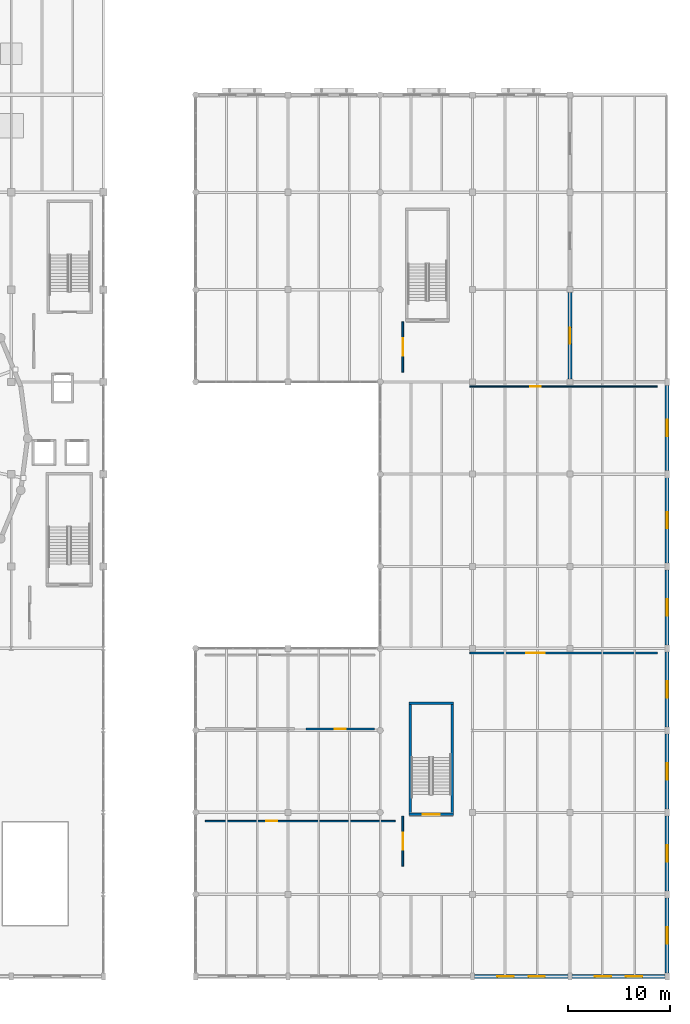
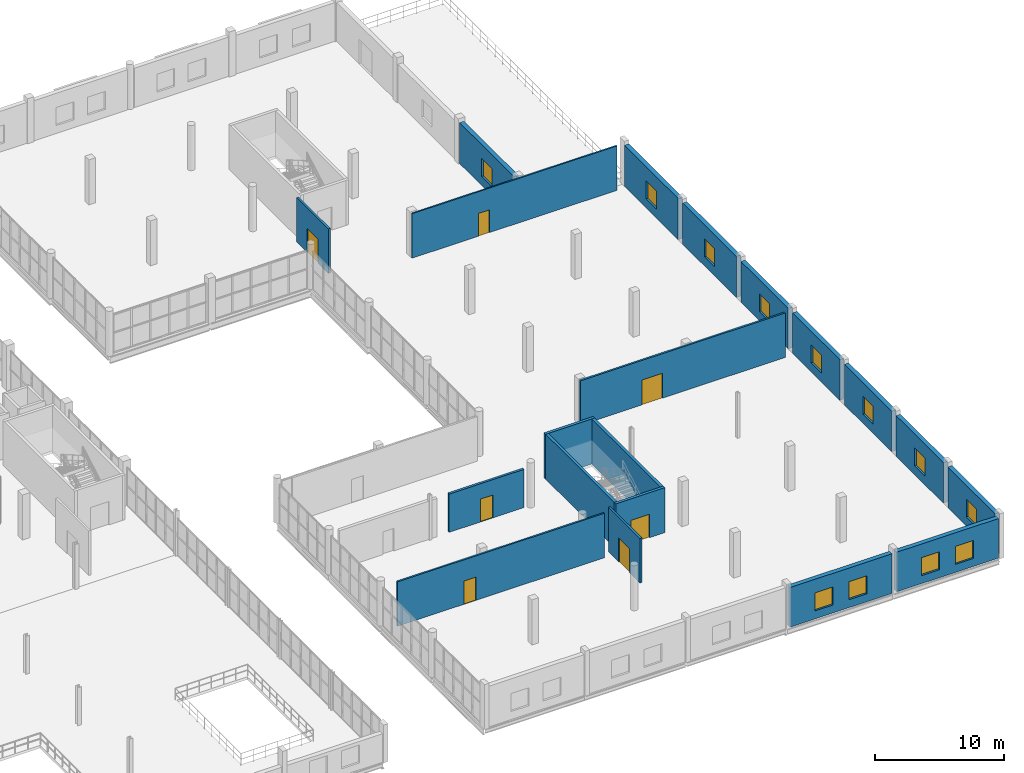
# One storey, part 59 of 73: 20 walls, 12 windows, 7 doors, 19 openings.
"""IFC4 building model written with IfcOpenShell, lengths in metres."""

import ifcopenshell
import ifcopenshell.guid

model = None  # the IFC model being written
_history = None  # IfcOwnerHistory: only IFC2X3 demands one
_inside = {}  # id of a spatial element -> (the spatial element, [elements in it])
_under = {}  # id of a project, library or spatial element -> (it, [spatial elements below it])
_declared = {}  # id of a project -> (the project, [libraries it declares])
_typed = {}  # id of a type object -> (the type object, [elements of that type])
_made_of = {}  # id of a material, layer set ... -> (it, [elements and type objects made of it])


def new_model(schema):
    """Start an empty IFC model of exactly this schema.

    Asked for "IFC4X3", IfcOpenShell would pick the latest addendum, in which some entities
    have other attributes; the version numbers below select the first issue.
    IFC2X3 requires an IfcOwnerHistory on every rooted entity: one is made here for all.
    """
    global model, _history
    if schema == "IFC4X3":
        model = ifcopenshell.file(schema_version=(4, 3, 0, 0))
    else:
        model = ifcopenshell.file(schema=schema)
    _inside.clear()
    _under.clear()
    _declared.clear()
    _typed.clear()
    _made_of.clear()
    _history = None
    if model.schema == "IFC2X3":
        org = make("IfcOrganization", Name="unknown")
        user = make(
            "IfcPersonAndOrganization",
            ThePerson=make("IfcPerson", FamilyName="unknown"),
            TheOrganization=org,
        )
        app = make(
            "IfcApplication",
            ApplicationDeveloper=org,
            Version="unknown",
            ApplicationFullName="unknown",
            ApplicationIdentifier="unknown",
        )
        _history = make(
            "IfcOwnerHistory",
            OwningUser=user,
            OwningApplication=app,
            ChangeAction="ADDED",
            CreationDate=0,
        )
    return model


def make(cls, **values):
    """One entity of the class cls with the attributes given. An attribute that is None is left unset."""
    return model.create_entity(
        cls, **{name: value for name, value in values.items() if value is not None}
    )


def rooted(cls, **values):
    """An entity with a GlobalId (a new one), such as an element, a storey or a relation."""
    return make(cls, GlobalId=ifcopenshell.guid.new(), OwnerHistory=_history, **values)


def si_unit(unit_type, name, prefix=None):
    """IfcSIUnit, for example si_unit("LENGTHUNIT", "METRE", prefix="MILLI")."""
    return make("IfcSIUnit", UnitType=unit_type, Prefix=prefix, Name=name)


def assignment(units):
    """IfcUnitAssignment: the units of a project."""
    return None if units is None else make("IfcUnitAssignment", Units=units)


def point(xyz):
    """IfcCartesianPoint."""
    return None if xyz is None else make("IfcCartesianPoint", Coordinates=xyz)


def direction(xyz):
    """IfcDirection."""
    return None if xyz is None else make("IfcDirection", DirectionRatios=xyz)


def frame(location, z_axis=None, x_axis=None):
    """IfcAxis2Placement3D, a coordinate frame: its origin and axes. An axis left out is left unset."""
    return make(
        "IfcAxis2Placement3D",
        Location=point(location),
        Axis=direction(z_axis),
        RefDirection=direction(x_axis),
    )


def frame_2d(location, x_axis=None):
    """IfcAxis2Placement2D, a coordinate frame in the plane: its origin and x axis."""
    return make(
        "IfcAxis2Placement2D", Location=point(location), RefDirection=direction(x_axis)
    )


def origin():
    """The frame at (0, 0, 0) with its axes left unset."""
    return frame((0.0, 0.0, 0.0))


def place(relative_to, where):
    """IfcLocalPlacement: puts the frame where relative to a parent placement (None: the world)."""
    return make(
        "IfcLocalPlacement", PlacementRelTo=relative_to, RelativePlacement=where
    )


def context(
    kind, dimensions, precision=None, world=None, true_north=None, identifier=None
):
    """IfcGeometricRepresentationContext, for example the 3D "Model" context."""
    return make(
        "IfcGeometricRepresentationContext",
        ContextIdentifier=identifier,
        ContextType=kind,
        CoordinateSpaceDimension=dimensions,
        Precision=precision,
        WorldCoordinateSystem=world,
        TrueNorth=true_north,
    )


def subcontext(parent, identifier, kind, view, scale=None):
    """IfcGeometricRepresentationSubContext, for example "Body" below "Model"."""
    return make(
        "IfcGeometricRepresentationSubContext",
        ContextIdentifier=identifier,
        ContextType=kind,
        ParentContext=parent,
        TargetScale=scale,
        TargetView=view,
    )


def project(units=None, contexts=None):
    """IfcProject with its units and contexts."""
    return rooted(
        "IfcProject",
        Name="project",
        RepresentationContexts=contexts,
        UnitsInContext=assignment(units),
    )


def spatial(cls, under=None, at=None, **own):
    """A site, building, storey or space (cls), placed at a placement, below another one or the project."""
    s = rooted(cls, ObjectPlacement=at, **own)
    if under is not None:
        _under.setdefault(under.id(), (under, []))[1].append(s)
    return s


def profile(cls, at=None, kind="AREA", **sizes):
    """A parametric profile (cls). Its sizes go by their IFC names, for example OverallWidth=200.0."""
    return make(cls, ProfileType=kind, Position=at, **sizes)


def rectangle(**sizes):
    """IfcRectangleProfileDef."""
    return profile("IfcRectangleProfileDef", **sizes)


def extrude(swept, where, along, depth):
    """IfcExtrudedAreaSolid: the profile swept, set in the frame where, extruded along a direction by depth."""
    return make(
        "IfcExtrudedAreaSolid",
        SweptArea=swept,
        Position=where,
        ExtrudedDirection=direction(along),
        Depth=depth,
    )


def shape(context_of_items, identifier, shape_type, items):
    """IfcShapeRepresentation: the items that make up one representation, for example the "Body"."""
    return make(
        "IfcShapeRepresentation",
        ContextOfItems=context_of_items,
        RepresentationIdentifier=identifier,
        RepresentationType=shape_type,
        Items=items,
    )


def material(Name=None, Category=None):
    """IfcMaterial."""
    return make("IfcMaterial", Name=Name, Category=Category)


def layer(
    of_material, thickness, ventilated=None, Name=None, Category=None, Priority=None
):
    """IfcMaterialLayer: one layer of a wall or slab, of a material (None: an air gap)."""
    return make(
        "IfcMaterialLayer",
        Material=of_material,
        LayerThickness=thickness,
        IsVentilated=ventilated,
        Name=Name,
        Category=Category,
        Priority=Priority,
    )


def layer_set(layers, Name=None):
    """IfcMaterialLayerSet."""
    return make("IfcMaterialLayerSet", MaterialLayers=layers, LayerSetName=Name)


def made_of(thing, what):
    """Note that an element or type object is made of a material, layer set ...; save() writes the relation."""
    if what is not None:
        _made_of.setdefault(what.id(), (what, []))[1].append(thing)
    return thing


def type_object(cls, material=None, **own):
    """A type object (cls), such as IfcWallType, which elements share."""
    return made_of(rooted(cls, **own), material)


def element(
    cls,
    number,
    at=None,
    inside=None,
    cuts=None,
    type_object=None,
    material=None,
    context=None,
    identifier="Body",
    shape_type=None,
    held_by="IfcProductDefinitionShape",
    body=None,
    shapes=None,
    **own,
):
    """One element of the class cls, such as IfcWall. Its Tag is "e" and its number.

    at: its placement. inside: the storey or other place that contains it. cuts: it is an
    opening in that element (IfcRelVoidsElement). A single representation is given by context,
    identifier, shape_type and body (its items); several are given by shapes. held_by: the class
    of the entity that holds the representations. save() writes the other relations.
    """
    e = rooted(cls, Tag="e%d" % number, ObjectPlacement=at, **own)
    if body is not None:
        shapes = [shape(context, identifier, shape_type, body)]
    if shapes is not None:
        e.Representation = make(held_by, Representations=shapes)
    if inside is not None:
        _inside.setdefault(inside.id(), (inside, []))[1].append(e)
    if cuts is not None:
        rooted(
            "IfcRelVoidsElement", RelatingBuildingElement=cuts, RelatedOpeningElement=e
        )
    if type_object is not None:
        _typed.setdefault(type_object.id(), (type_object, []))[1].append(e)
    return made_of(e, material)


def fill(opening, filler):
    """IfcRelFillsElement: the door or window that sits in an opening."""
    return rooted(
        "IfcRelFillsElement",
        RelatingOpeningElement=opening,
        RelatedBuildingElement=filler,
    )


def aggregate(whole, parts):
    """IfcRelAggregates: a whole, such as a stair, and the parts it consists of."""
    return rooted("IfcRelAggregates", RelatingObject=whole, RelatedObjects=parts)


def save(model, path):
    """Write the relations noted so far, then the file.

    IfcRelAggregates (storeys below a building ...), IfcRelContainedInSpatialStructure (elements
    in a storey), IfcRelDefinesByType, IfcRelAssociatesMaterial and IfcRelDeclares: one each for
    every whole, place, type object, material and project.
    """
    for whole, parts in _under.values():
        aggregate(whole, parts)
    for where, things in _inside.values():
        rooted(
            "IfcRelContainedInSpatialStructure",
            RelatedElements=things,
            RelatingStructure=where,
        )
    for kind, things in _typed.values():
        rooted("IfcRelDefinesByType", RelatedObjects=things, RelatingType=kind)
    for what, things in _made_of.values():
        rooted("IfcRelAssociatesMaterial", RelatedObjects=things, RelatingMaterial=what)
    for by, libraries in _declared.values():
        rooted("IfcRelDeclares", RelatingContext=by, RelatedDefinitions=libraries)
    model.write(path)


model = new_model("IFC4")

# Units and contexts
model_context = context("Model", 3, precision=1e-05, world=origin(), true_north=direction((0.0, 1.0)))
body_context = subcontext(model_context, "Body", "Model", "MODEL_VIEW")
ifc_project = project(units=[si_unit("LENGTHUNIT", "METRE"), si_unit("AREAUNIT", "SQUARE_METRE"), si_unit("VOLUMEUNIT", "CUBIC_METRE"), si_unit("PLANEANGLEUNIT", "RADIAN"), si_unit("MASSUNIT", "GRAM", prefix="KILO")], contexts=[model_context])

# Site, building, storey
site_placement = place(None, origin())
site = spatial("IfcSite", under=ifc_project, at=site_placement, CompositionType="ELEMENT")
building_placement = place(site_placement, origin())
building = spatial("IfcBuilding", under=site, at=building_placement, Name="Marnock Terrace Opera House", CompositionType="ELEMENT")
storey_placement = place(building_placement, frame((0.0, 0.0, 14.699951171875)))
storey = spatial("IfcBuildingStorey", under=building, at=storey_placement, Name="L03", CompositionType="ELEMENT", Elevation=14.699951171875)

# Wall, openings, windows
ifc_material_1 = material(Name="Basket Range sandstone ashlar masonry", Category="masonry")
ifc_layer_1 = layer(ifc_material_1, 0.389892578125)
ifc_layer_set_1 = layer_set([ifc_layer_1], Name="Basket Range sandstone ashlar masonry")
wall_type_1 = type_object("IfcWallType", Name="EW-ASHLAR-390", PredefinedType="SOLIDWALL", material=ifc_layer_set_1)
wall_1_placement = place(storey_placement, frame((145.196044921875, 8.0, 0.0), z_axis=(0.0, 0.0, 1.0), x_axis=(1.0, 0.0, 0.0)))
wall_1 = element("IfcWall", 1, at=wall_1_placement, inside=storey, type_object=wall_type_1, Name="L03 Volume 5 south sandstone facade 4", PredefinedType="SOLIDWALL", context=body_context, shape_type="SweptSolid", body=[
    extrude(rectangle(XDim=9.10791015625, YDim=0.389892578125, at=frame_2d((4.553955078125, 0.0))), origin(), (0.0, 0.0, 1.0), 3.73974609375),
])
opening_1_placement = place(wall_1_placement, frame((2.236083984375, 0.0, 0.75)))
opening_1 = element("IfcOpeningElement", 2, at=opening_1_placement, cuts=wall_1, Name="Opening WT-107", PredefinedType="OPENING", context=body_context, shape_type="SweptSolid", body=[
    extrude(rectangle(XDim=1.60009765625, YDim=1.699951171875, at=frame_2d((0.800048828125, 0.85009765625))), frame((0.0, 0.204833984375, 0.0), z_axis=(0.0, -1.0, 0.0), x_axis=(1.0, 0.0, 0.0)), (0.0, 0.0, 1.0), 0.409912109375),
])
opening_2_placement = place(wall_1_placement, frame((5.27197265625, 0.0, 0.75)))
opening_2 = element("IfcOpeningElement", 3, at=opening_2_placement, cuts=wall_1, Name="Opening WT-107", PredefinedType="OPENING", context=body_context, shape_type="SweptSolid", body=[
    extrude(rectangle(XDim=1.60009765625, YDim=1.699951171875, at=frame_2d((0.800048828125, 0.85009765625))), frame((0.0, 0.204833984375, 0.0), z_axis=(0.0, -1.0, 0.0), x_axis=(1.0, 0.0, 0.0)), (0.0, 0.0, 1.0), 0.409912109375),
])
ifc_material_2 = material(Name="Double-glazed acoustic low-E laminated glass", Category="glass")
window_type = type_object("IfcWindowType", Name="WT-ATTIC-1600", PartitioningType="SINGLE_PANEL", PredefinedType="WINDOW", material=ifc_material_2)
window_1_placement = place(opening_1_placement, origin())
window_1 = element("IfcWindow", 4, at=window_1_placement, inside=storey, type_object=window_type, Name="L03 facade window EW-V5S-L03-4.1", OverallHeight=1.699951171875, OverallWidth=1.60009765625, PartitioningType="SINGLE_PANEL", PredefinedType="WINDOW", context=body_context, shape_type="SweptSolid", body=[
    extrude(rectangle(XDim=1.60009765625, YDim=1.699951171875, at=frame_2d((0.800048828125, 0.85009765625))), frame((0.0, 0.030029296875, 0.0), z_axis=(0.0, -1.0, 0.0), x_axis=(1.0, 0.0, 0.0)), (0.0, 0.0, 1.0), 0.06005859375),
])
fill(opening_1, window_1)
window_2_placement = place(opening_2_placement, origin())
window_2 = element("IfcWindow", 5, at=window_2_placement, inside=storey, type_object=window_type, Name="L03 facade window EW-V5S-L03-4.2", OverallHeight=1.699951171875, OverallWidth=1.60009765625, PartitioningType="SINGLE_PANEL", PredefinedType="WINDOW", context=body_context, shape_type="SweptSolid", body=[
    extrude(rectangle(XDim=1.60009765625, YDim=1.699951171875, at=frame_2d((0.800048828125, 0.85009765625))), frame((0.0, 0.030029296875, 0.0), z_axis=(0.0, -1.0, 0.0), x_axis=(1.0, 0.0, 0.0)), (0.0, 0.0, 1.0), 0.06005859375),
])
fill(opening_2, window_2)

wall_2_placement = place(storey_placement, frame((154.696044921875, 8.0, 0.0), z_axis=(0.0, 0.0, 1.0), x_axis=(1.0, 0.0, 0.0)))
wall_2 = element("IfcWall", 6, at=wall_2_placement, inside=storey, type_object=wall_type_1, Name="L03 Volume 5 south sandstone facade 5", PredefinedType="SOLIDWALL", context=body_context, shape_type="SweptSolid", body=[
    extrude(rectangle(XDim=9.10791015625, YDim=0.389892578125, at=frame_2d((4.553955078125, 0.0))), origin(), (0.0, 0.0, 1.0), 3.73974609375),
])
opening_3_placement = place(wall_2_placement, frame((2.236083984375, 0.0, 0.75)))
opening_3 = element("IfcOpeningElement", 7, at=opening_3_placement, cuts=wall_2, Name="Opening WT-107", PredefinedType="OPENING", context=body_context, shape_type="SweptSolid", body=[
    extrude(rectangle(XDim=1.60009765625, YDim=1.699951171875, at=frame_2d((0.800048828125, 0.85009765625))), frame((0.0, 0.204833984375, 0.0), z_axis=(0.0, -1.0, 0.0), x_axis=(1.0, 0.0, 0.0)), (0.0, 0.0, 1.0), 0.409912109375),
])
opening_4_placement = place(wall_2_placement, frame((5.27197265625, 0.0, 0.75)))
opening_4 = element("IfcOpeningElement", 8, at=opening_4_placement, cuts=wall_2, Name="Opening WT-107", PredefinedType="OPENING", context=body_context, shape_type="SweptSolid", body=[
    extrude(rectangle(XDim=1.60009765625, YDim=1.699951171875, at=frame_2d((0.800048828125, 0.85009765625))), frame((0.0, 0.204833984375, 0.0), z_axis=(0.0, -1.0, 0.0), x_axis=(1.0, 0.0, 0.0)), (0.0, 0.0, 1.0), 0.409912109375),
])
window_3_placement = place(opening_3_placement, origin())
window_3 = element("IfcWindow", 9, at=window_3_placement, inside=storey, type_object=window_type, Name="L03 facade window EW-V5S-L03-5.1", OverallHeight=1.699951171875, OverallWidth=1.60009765625, PartitioningType="SINGLE_PANEL", PredefinedType="WINDOW", context=body_context, shape_type="SweptSolid", body=[
    extrude(rectangle(XDim=1.60009765625, YDim=1.699951171875, at=frame_2d((0.800048828125, 0.85009765625))), frame((0.0, 0.030029296875, 0.0), z_axis=(0.0, -1.0, 0.0), x_axis=(1.0, 0.0, 0.0)), (0.0, 0.0, 1.0), 0.06005859375),
])
fill(opening_3, window_3)
window_4_placement = place(opening_4_placement, origin())
window_4 = element("IfcWindow", 10, at=window_4_placement, inside=storey, type_object=window_type, Name="L03 facade window EW-V5S-L03-5.2", OverallHeight=1.699951171875, OverallWidth=1.60009765625, PartitioningType="SINGLE_PANEL", PredefinedType="WINDOW", context=body_context, shape_type="SweptSolid", body=[
    extrude(rectangle(XDim=1.60009765625, YDim=1.699951171875, at=frame_2d((0.800048828125, 0.85009765625))), frame((0.0, 0.030029296875, 0.0), z_axis=(0.0, -1.0, 0.0), x_axis=(1.0, 0.0, 0.0)), (0.0, 0.0, 1.0), 0.06005859375),
])
fill(opening_4, window_4)

# Wall, opening, window
wall_3_placement = place(storey_placement, frame((164.0, 8.345947265625, 0.0), z_axis=(0.0, 0.0, 1.0), x_axis=(0.0, 1.0, 0.0)))
wall_3 = element("IfcWall", 11, at=wall_3_placement, inside=storey, type_object=wall_type_1, Name="L03 Volume 5 east sandstone facade 1", PredefinedType="SOLIDWALL", context=body_context, shape_type="SweptSolid", body=[
    extrude(rectangle(XDim=7.30810546875, YDim=0.389892578125, at=frame_2d((3.654052734375, 0.0))), origin(), (0.0, 0.0, 1.0), 3.841552734375),
])
opening_5_placement = place(wall_3_placement, frame((2.85400390625, 0.0, 0.85009765625)))
opening_5 = element("IfcOpeningElement", 12, at=opening_5_placement, cuts=wall_3, Name="Opening WT-107", PredefinedType="OPENING", context=body_context, shape_type="SweptSolid", body=[
    extrude(rectangle(XDim=1.60009765625, YDim=1.699951171875, at=frame_2d((0.800048828125, 0.85009765625))), frame((0.0, 0.204833984375, 0.0), z_axis=(0.0, -1.0, 0.0), x_axis=(1.0, 0.0, 0.0)), (0.0, 0.0, 1.0), 0.409912109375),
])
window_5_placement = place(opening_5_placement, origin())
window_5 = element("IfcWindow", 13, at=window_5_placement, inside=storey, type_object=window_type, Name="L03 facade window EW-V5E-L03-01.1", OverallHeight=1.699951171875, OverallWidth=1.60009765625, PartitioningType="SINGLE_PANEL", PredefinedType="WINDOW", context=body_context, shape_type="SweptSolid", body=[
    extrude(rectangle(XDim=1.60009765625, YDim=1.699951171875, at=frame_2d((0.800048828125, 0.85009765625))), frame((0.0, 0.030029296875, 0.0), z_axis=(0.0, -1.0, 0.0), x_axis=(1.0, 0.0, 0.0)), (0.0, 0.0, 1.0), 0.06005859375),
])
fill(opening_5, window_5)

wall_4_placement = place(storey_placement, frame((164.0, 16.345947265625, 0.0), z_axis=(0.0, 0.0, 1.0), x_axis=(0.0, 1.0, 0.0)))
wall_4 = element("IfcWall", 14, at=wall_4_placement, inside=storey, type_object=wall_type_1, Name="L03 Volume 5 east sandstone facade 2", PredefinedType="SOLIDWALL", context=body_context, shape_type="SweptSolid", body=[
    extrude(rectangle(XDim=7.30810546875, YDim=0.389892578125, at=frame_2d((3.654052734375, 0.0))), origin(), (0.0, 0.0, 1.0), 3.841552734375),
])
opening_6_placement = place(wall_4_placement, frame((2.85400390625, 0.0, 0.85009765625)))
opening_6 = element("IfcOpeningElement", 15, at=opening_6_placement, cuts=wall_4, Name="Opening WT-107", PredefinedType="OPENING", context=body_context, shape_type="SweptSolid", body=[
    extrude(rectangle(XDim=1.60009765625, YDim=1.699951171875, at=frame_2d((0.800048828125, 0.85009765625))), frame((0.0, 0.204833984375, 0.0), z_axis=(0.0, -1.0, 0.0), x_axis=(1.0, 0.0, 0.0)), (0.0, 0.0, 1.0), 0.409912109375),
])
window_6_placement = place(opening_6_placement, origin())
window_6 = element("IfcWindow", 16, at=window_6_placement, inside=storey, type_object=window_type, Name="L03 facade window EW-V5E-L03-02.1", OverallHeight=1.699951171875, OverallWidth=1.60009765625, PartitioningType="SINGLE_PANEL", PredefinedType="WINDOW", context=body_context, shape_type="SweptSolid", body=[
    extrude(rectangle(XDim=1.60009765625, YDim=1.699951171875, at=frame_2d((0.800048828125, 0.85009765625))), frame((0.0, 0.030029296875, 0.0), z_axis=(0.0, -1.0, 0.0), x_axis=(1.0, 0.0, 0.0)), (0.0, 0.0, 1.0), 0.06005859375),
])
fill(opening_6, window_6)

wall_5_placement = place(storey_placement, frame((164.0, 24.345947265625, 0.0), z_axis=(0.0, 0.0, 1.0), x_axis=(0.0, 1.0, 0.0)))
wall_5 = element("IfcWall", 17, at=wall_5_placement, inside=storey, type_object=wall_type_1, Name="L03 Volume 5 east sandstone facade 3", PredefinedType="SOLIDWALL", context=body_context, shape_type="SweptSolid", body=[
    extrude(rectangle(XDim=7.30810546875, YDim=0.389892578125, at=frame_2d((3.654052734375, 0.0))), origin(), (0.0, 0.0, 1.0), 3.841552734375),
])
opening_7_placement = place(wall_5_placement, frame((2.85400390625, 0.0, 0.85009765625)))
opening_7 = element("IfcOpeningElement", 18, at=opening_7_placement, cuts=wall_5, Name="Opening WT-107", PredefinedType="OPENING", context=body_context, shape_type="SweptSolid", body=[
    extrude(rectangle(XDim=1.60009765625, YDim=1.699951171875, at=frame_2d((0.800048828125, 0.85009765625))), frame((0.0, 0.204833984375, 0.0), z_axis=(0.0, -1.0, 0.0), x_axis=(1.0, 0.0, 0.0)), (0.0, 0.0, 1.0), 0.409912109375),
])
window_7_placement = place(opening_7_placement, origin())
window_7 = element("IfcWindow", 19, at=window_7_placement, inside=storey, type_object=window_type, Name="L03 facade window EW-V5E-L03-03.1", OverallHeight=1.699951171875, OverallWidth=1.60009765625, PartitioningType="SINGLE_PANEL", PredefinedType="WINDOW", context=body_context, shape_type="SweptSolid", body=[
    extrude(rectangle(XDim=1.60009765625, YDim=1.699951171875, at=frame_2d((0.800048828125, 0.85009765625))), frame((0.0, 0.030029296875, 0.0), z_axis=(0.0, -1.0, 0.0), x_axis=(1.0, 0.0, 0.0)), (0.0, 0.0, 1.0), 0.06005859375),
])
fill(opening_7, window_7)

wall_6_placement = place(storey_placement, frame((164.0, 32.345947265625, 0.0), z_axis=(0.0, 0.0, 1.0), x_axis=(0.0, 1.0, 0.0)))
wall_6 = element("IfcWall", 20, at=wall_6_placement, inside=storey, type_object=wall_type_1, Name="L03 Volume 5 east sandstone facade 4", PredefinedType="SOLIDWALL", context=body_context, shape_type="SweptSolid", body=[
    extrude(rectangle(XDim=7.30810546875, YDim=0.389892578125, at=frame_2d((3.654052734375, 0.0))), origin(), (0.0, 0.0, 1.0), 3.841552734375),
])
opening_8_placement = place(wall_6_placement, frame((2.85400390625, 0.0, 0.85009765625)))
opening_8 = element("IfcOpeningElement", 21, at=opening_8_placement, cuts=wall_6, Name="Opening WT-107", PredefinedType="OPENING", context=body_context, shape_type="SweptSolid", body=[
    extrude(rectangle(XDim=1.60009765625, YDim=1.699951171875, at=frame_2d((0.800048828125, 0.85009765625))), frame((0.0, 0.204833984375, 0.0), z_axis=(0.0, -1.0, 0.0), x_axis=(1.0, 0.0, 0.0)), (0.0, 0.0, 1.0), 0.409912109375),
])
window_8_placement = place(opening_8_placement, origin())
window_8 = element("IfcWindow", 22, at=window_8_placement, inside=storey, type_object=window_type, Name="L03 facade window EW-V5E-L03-04.1", OverallHeight=1.699951171875, OverallWidth=1.60009765625, PartitioningType="SINGLE_PANEL", PredefinedType="WINDOW", context=body_context, shape_type="SweptSolid", body=[
    extrude(rectangle(XDim=1.60009765625, YDim=1.699951171875, at=frame_2d((0.800048828125, 0.85009765625))), frame((0.0, 0.030029296875, 0.0), z_axis=(0.0, -1.0, 0.0), x_axis=(1.0, 0.0, 0.0)), (0.0, 0.0, 1.0), 0.06005859375),
])
fill(opening_8, window_8)

wall_7_placement = place(storey_placement, frame((164.0, 40.345947265625, 0.0), z_axis=(0.0, 0.0, 1.0), x_axis=(0.0, 1.0, 0.0)))
wall_7 = element("IfcWall", 23, at=wall_7_placement, inside=storey, type_object=wall_type_1, Name="L03 Volume 5 east sandstone facade 5", PredefinedType="SOLIDWALL", context=body_context, shape_type="SweptSolid", body=[
    extrude(rectangle(XDim=7.30810546875, YDim=0.389892578125, at=frame_2d((3.654052734375, 0.0))), origin(), (0.0, 0.0, 1.0), 3.841552734375),
])
opening_9_placement = place(wall_7_placement, frame((2.85400390625, 0.0, 0.85009765625)))
opening_9 = element("IfcOpeningElement", 24, at=opening_9_placement, cuts=wall_7, Name="Opening WT-107", PredefinedType="OPENING", context=body_context, shape_type="SweptSolid", body=[
    extrude(rectangle(XDim=1.60009765625, YDim=1.699951171875, at=frame_2d((0.800048828125, 0.85009765625))), frame((0.0, 0.204833984375, 0.0), z_axis=(0.0, -1.0, 0.0), x_axis=(1.0, 0.0, 0.0)), (0.0, 0.0, 1.0), 0.409912109375),
])
window_9_placement = place(opening_9_placement, origin())
window_9 = element("IfcWindow", 25, at=window_9_placement, inside=storey, type_object=window_type, Name="L03 facade window EW-V5E-L03-05.1", OverallHeight=1.699951171875, OverallWidth=1.60009765625, PartitioningType="SINGLE_PANEL", PredefinedType="WINDOW", context=body_context, shape_type="SweptSolid", body=[
    extrude(rectangle(XDim=1.60009765625, YDim=1.699951171875, at=frame_2d((0.800048828125, 0.85009765625))), frame((0.0, 0.030029296875, 0.0), z_axis=(0.0, -1.0, 0.0), x_axis=(1.0, 0.0, 0.0)), (0.0, 0.0, 1.0), 0.06005859375),
])
fill(opening_9, window_9)

wall_8_placement = place(storey_placement, frame((164.0, 48.345947265625, 0.0), z_axis=(0.0, 0.0, 1.0), x_axis=(0.0, 1.0, 0.0)))
wall_8 = element("IfcWall", 26, at=wall_8_placement, inside=storey, type_object=wall_type_1, Name="L03 Volume 5 east sandstone facade 6", PredefinedType="SOLIDWALL", context=body_context, shape_type="SweptSolid", body=[
    extrude(rectangle(XDim=8.30810546875, YDim=0.389892578125, at=frame_2d((4.154052734375, 0.0))), origin(), (0.0, 0.0, 1.0), 3.891357421875),
])
opening_10_placement = place(wall_8_placement, frame((3.35400390625, 0.0, 0.85009765625)))
opening_10 = element("IfcOpeningElement", 27, at=opening_10_placement, cuts=wall_8, Name="Opening WT-107", PredefinedType="OPENING", context=body_context, shape_type="SweptSolid", body=[
    extrude(rectangle(XDim=1.60009765625, YDim=1.699951171875, at=frame_2d((0.800048828125, 0.85009765625))), frame((0.0, 0.204833984375, 0.0), z_axis=(0.0, -1.0, 0.0), x_axis=(1.0, 0.0, 0.0)), (0.0, 0.0, 1.0), 0.409912109375),
])
window_10_placement = place(opening_10_placement, origin())
window_10 = element("IfcWindow", 28, at=window_10_placement, inside=storey, type_object=window_type, Name="L03 facade window EW-V5E-L03-06.1", OverallHeight=1.699951171875, OverallWidth=1.60009765625, PartitioningType="SINGLE_PANEL", PredefinedType="WINDOW", context=body_context, shape_type="SweptSolid", body=[
    extrude(rectangle(XDim=1.60009765625, YDim=1.699951171875, at=frame_2d((0.800048828125, 0.85009765625))), frame((0.0, 0.030029296875, 0.0), z_axis=(0.0, -1.0, 0.0), x_axis=(1.0, 0.0, 0.0)), (0.0, 0.0, 1.0), 0.06005859375),
])
fill(opening_10, window_10)

wall_9_placement = place(storey_placement, frame((164.0, 57.345947265625, 0.0), z_axis=(0.0, 0.0, 1.0), x_axis=(0.0, 1.0, 0.0)))
wall_9 = element("IfcWall", 29, at=wall_9_placement, inside=storey, type_object=wall_type_1, Name="L03 Volume 5 east sandstone facade 7", PredefinedType="SOLIDWALL", context=body_context, shape_type="SweptSolid", body=[
    extrude(rectangle(XDim=8.30810546875, YDim=0.389892578125, at=frame_2d((4.154052734375, 0.0))), origin(), (0.0, 0.0, 1.0), 3.891357421875),
])
opening_11_placement = place(wall_9_placement, frame((3.35400390625, 0.0, 0.85009765625)))
opening_11 = element("IfcOpeningElement", 30, at=opening_11_placement, cuts=wall_9, Name="Opening WT-107", PredefinedType="OPENING", context=body_context, shape_type="SweptSolid", body=[
    extrude(rectangle(XDim=1.60009765625, YDim=1.699951171875, at=frame_2d((0.800048828125, 0.85009765625))), frame((0.0, 0.204833984375, 0.0), z_axis=(0.0, -1.0, 0.0), x_axis=(1.0, 0.0, 0.0)), (0.0, 0.0, 1.0), 0.409912109375),
])
window_11_placement = place(opening_11_placement, origin())
window_11 = element("IfcWindow", 31, at=window_11_placement, inside=storey, type_object=window_type, Name="L03 facade window EW-V5E-L03-07.1", OverallHeight=1.699951171875, OverallWidth=1.60009765625, PartitioningType="SINGLE_PANEL", PredefinedType="WINDOW", context=body_context, shape_type="SweptSolid", body=[
    extrude(rectangle(XDim=1.60009765625, YDim=1.699951171875, at=frame_2d((0.800048828125, 0.85009765625))), frame((0.0, 0.030029296875, 0.0), z_axis=(0.0, -1.0, 0.0), x_axis=(1.0, 0.0, 0.0)), (0.0, 0.0, 1.0), 0.06005859375),
])
fill(opening_11, window_11)

wall_10_placement = place(storey_placement, frame((154.5, 66.2958984375, 0.0), z_axis=(0.0, 0.0, 1.0), x_axis=(0.0, 1.0, 0.0)))
wall_10 = element("IfcWall", 32, at=wall_10_placement, inside=storey, type_object=wall_type_1, Name="L03 Volume 5 east sandstone facade 8", PredefinedType="SOLIDWALL", context=body_context, shape_type="SweptSolid", body=[
    extrude(rectangle(XDim=8.408203125, YDim=0.389892578125, at=frame_2d((4.2041015625, 0.0))), origin(), (0.0, 0.0, 1.0), 3.864501953125),
])
opening_12_placement = place(wall_10_placement, frame((3.404052734375, 0.0, 0.85009765625)))
opening_12 = element("IfcOpeningElement", 33, at=opening_12_placement, cuts=wall_10, Name="Opening WT-107", PredefinedType="OPENING", context=body_context, shape_type="SweptSolid", body=[
    extrude(rectangle(XDim=1.60009765625, YDim=1.699951171875, at=frame_2d((0.800048828125, 0.85009765625))), frame((0.0, 0.204833984375, 0.0), z_axis=(0.0, -1.0, 0.0), x_axis=(1.0, 0.0, 0.0)), (0.0, 0.0, 1.0), 0.409912109375),
])
window_12_placement = place(opening_12_placement, origin())
window_12 = element("IfcWindow", 34, at=window_12_placement, inside=storey, type_object=window_type, Name="L03 facade window EW-V5E-L03-08.1", OverallHeight=1.699951171875, OverallWidth=1.60009765625, PartitioningType="SINGLE_PANEL", PredefinedType="WINDOW", context=body_context, shape_type="SweptSolid", body=[
    extrude(rectangle(XDim=1.60009765625, YDim=1.699951171875, at=frame_2d((0.800048828125, 0.85009765625))), frame((0.0, 0.030029296875, 0.0), z_axis=(0.0, -1.0, 0.0), x_axis=(1.0, 0.0, 0.0)), (0.0, 0.0, 1.0), 0.06005859375),
])
fill(opening_12, window_12)

# Wall, opening, door
ifc_material_3 = material(Name="Rendered acoustic concrete blockwork", Category="masonry")
ifc_layer_2 = layer(ifc_material_3, 0.18505859375)
ifc_layer_set_2 = layer_set([ifc_layer_2], Name="Rendered acoustic concrete blockwork")
wall_type_2 = type_object("IfcWallType", Name="IW-FIRE-185", PredefinedType="PARTITIONING", material=ifc_layer_set_2)
wall_11_placement = place(storey_placement, frame((138.199951171875, 18.75, 0.0), z_axis=(0.0, 0.0, 1.0), x_axis=(0.0, 1.0, 0.0)))
wall_11 = element("IfcWall", 35, at=wall_11_placement, inside=storey, type_object=wall_type_2, Name="L03 C6 fire-rated lift and stair lobby wall", PredefinedType="PARTITIONING", context=body_context, shape_type="SweptSolid", body=[
    extrude(rectangle(XDim=4.89990234375, YDim=0.18505859375, at=frame_2d((2.449951171875, 0.0))), origin(), (0.0, 0.0, 1.0), 4.199951171875),
])
opening_13_placement = place(wall_11_placement, frame((1.610107421875, 0.0, 0.0)))
opening_13 = element("IfcOpeningElement", 36, at=opening_13_placement, cuts=wall_11, Name="Opening FD-C6-L03", PredefinedType="OPENING", context=body_context, shape_type="SweptSolid", body=[
    extrude(rectangle(XDim=1.679931640625, YDim=2.25, at=frame_2d((0.83984375, 1.125))), frame((0.0, 0.1025390625, 0.0), z_axis=(0.0, -1.0, 0.0), x_axis=(1.0, 0.0, 0.0)), (0.0, 0.0, 1.0), 0.205078125),
])
ifc_material_4 = material(Name="Fire-rated acoustic timber-core door assembly", Category="wood")
door_type_1 = type_object("IfcDoorType", Name="DT-LOBBY-1680", OperationType="NOTDEFINED", PredefinedType="DOOR", material=ifc_material_4)
door_1_placement = place(opening_13_placement, origin())
door_1 = element("IfcDoor", 37, at=door_1_placement, inside=storey, type_object=door_type_1, Name="L03 C6 lobby self-closing smoke door", OperationType="SINGLE_SWING_RIGHT", OverallHeight=2.25, OverallWidth=1.679931640625, PredefinedType="DOOR", context=body_context, shape_type="SweptSolid", body=[
    extrude(rectangle(XDim=1.679931640625, YDim=2.25, at=frame_2d((0.83984375, 1.125))), frame((0.0, 0.02490234375, 0.0), z_axis=(0.0, -1.0, 0.0), x_axis=(1.0, 0.0, 0.0)), (0.0, 0.0, 1.0), 0.050048828125),
])
fill(opening_13, door_1)

wall_12_placement = place(storey_placement, frame((138.199951171875, 66.949951171875, 0.0), z_axis=(0.0, 0.0, 1.0), x_axis=(0.0, 1.0, 0.0)))
wall_12 = element("IfcWall", 38, at=wall_12_placement, inside=storey, type_object=wall_type_2, Name="L03 C8 fire-rated lift and stair lobby wall", PredefinedType="PARTITIONING", context=body_context, shape_type="SweptSolid", body=[
    extrude(rectangle(XDim=4.900146484375, YDim=0.18505859375, at=frame_2d((2.4501953125, 0.0))), origin(), (0.0, 0.0, 1.0), 4.199951171875),
])
opening_14_placement = place(wall_12_placement, frame((1.610107421875, 0.0, 0.0)))
opening_14 = element("IfcOpeningElement", 39, at=opening_14_placement, cuts=wall_12, Name="Opening FD-C8-L03", PredefinedType="OPENING", context=body_context, shape_type="SweptSolid", body=[
    extrude(rectangle(XDim=1.679931640625, YDim=2.25, at=frame_2d((0.83984375, 1.125))), frame((0.0, 0.1025390625, 0.0), z_axis=(0.0, -1.0, 0.0), x_axis=(1.0, 0.0, 0.0)), (0.0, 0.0, 1.0), 0.205078125),
])
door_2_placement = place(opening_14_placement, origin())
door_2 = element("IfcDoor", 40, at=door_2_placement, inside=storey, type_object=door_type_1, Name="L03 C8 lobby self-closing smoke door", OperationType="SINGLE_SWING_RIGHT", OverallHeight=2.25, OverallWidth=1.679931640625, PredefinedType="DOOR", context=body_context, shape_type="SweptSolid", body=[
    extrude(rectangle(XDim=1.679931640625, YDim=2.25, at=frame_2d((0.83984375, 1.125))), frame((0.0, 0.02490234375, 0.0), z_axis=(0.0, -1.0, 0.0), x_axis=(1.0, 0.0, 0.0)), (0.0, 0.0, 1.0), 0.050048828125),
])
fill(opening_14, door_2)

ifc_material_5 = material(Name="Double-stud acoustic plasterboard with mineral-wool infill")
ifc_layer_3 = layer(ifc_material_5, 0.1279296875)
ifc_layer_set_3 = layer_set([ifc_layer_3], Name="Double-stud acoustic plasterboard with mineral-wool infill")
wall_type_3 = type_object("IfcWallType", Name="IW-PART-128", PredefinedType="PARTITIONING", material=ifc_layer_set_3)
wall_13_placement = place(storey_placement, frame((144.75, 65.550048828125, 0.0), z_axis=(0.0, 0.0, 1.0), x_axis=(1.0, 0.0, 0.0)))
wall_13 = element("IfcWall", 41, at=wall_13_placement, inside=storey, type_object=wall_type_3, Name="L03 Resident Orchestra Administration Suite acoustic partition wall", PredefinedType="PARTITIONING", context=body_context, shape_type="SweptSolid", body=[
    extrude(rectangle(XDim=18.300048828125, YDim=0.1279296875, at=frame_2d((9.14990234375, 0.0))), origin(), (0.0, 0.0, 1.0), 4.199951171875),
])
opening_15_placement = place(wall_13_placement, frame((5.905029296875, 0.0, 0.0)))
opening_15 = element("IfcOpeningElement", 42, at=opening_15_placement, cuts=wall_13, Name="Opening D-L03-13", PredefinedType="OPENING", context=body_context, shape_type="SweptSolid", body=[
    extrude(rectangle(XDim=1.0, YDim=2.14990234375, at=frame_2d((0.5, 1.074951171875))), frame((0.0, 0.073974609375, 0.0), z_axis=(0.0, -1.0, 0.0), x_axis=(1.0, 0.0, 0.0)), (0.0, 0.0, 1.0), 0.14794921875),
])
ifc_material_6 = material(Name="Solid-core Tasmanian oak acoustic door leaf")
door_type_2 = type_object("IfcDoorType", Name="DT-ROOM-1000", OperationType="NOTDEFINED", PredefinedType="DOOR", material=ifc_material_6)
door_3_placement = place(opening_15_placement, origin())
door_3 = element("IfcDoor", 43, at=door_3_placement, inside=storey, type_object=door_type_2, Name="L03 Resident Orchestra Administration Suite entrance door", OperationType="SINGLE_SWING_LEFT", OverallHeight=2.14990234375, OverallWidth=1.0, PredefinedType="DOOR", context=body_context, shape_type="SweptSolid", body=[
    extrude(rectangle(XDim=1.0, YDim=2.14990234375, at=frame_2d((0.5, 1.074951171875))), frame((0.0, 0.02490234375, 0.0), z_axis=(0.0, -1.0, 0.0), x_axis=(1.0, 0.0, 0.0)), (0.0, 0.0, 1.0), 0.050048828125),
])
fill(opening_15, door_3)

ifc_layer_4 = layer(ifc_material_5, 0.14794921875)
ifc_layer_set_4 = layer_set([ifc_layer_4], Name="Double-stud acoustic plasterboard with mineral-wool infill")
wall_type_4 = type_object("IfcWallType", Name="IW-PART-148", PredefinedType="PARTITIONING", material=ifc_layer_set_4)
wall_14_placement = place(storey_placement, frame((118.949951171875, 23.14990234375, 0.0), z_axis=(0.0, 0.0, 1.0), x_axis=(1.0, 0.0, 0.0)))
wall_14 = element("IfcWall", 44, at=wall_14_placement, inside=storey, type_object=wall_type_4, Name="L03 Artistic Production Suite acoustic partition wall", PredefinedType="PARTITIONING", context=body_context, shape_type="SweptSolid", body=[
    extrude(rectangle(XDim=18.5, YDim=0.14794921875, at=frame_2d((9.25, 0.0))), origin(), (0.0, 0.0, 1.0), 4.199951171875),
])
opening_16_placement = place(wall_14_placement, frame((5.945068359375, 0.0, 0.0)))
opening_16 = element("IfcOpeningElement", 45, at=opening_16_placement, cuts=wall_14, Name="Opening D-L03-11", PredefinedType="OPENING", context=body_context, shape_type="SweptSolid", body=[
    extrude(rectangle(XDim=1.06005859375, YDim=2.199951171875, at=frame_2d((0.530029296875, 1.10009765625))), frame((0.0, 0.083984375, 0.0), z_axis=(0.0, -1.0, 0.0), x_axis=(1.0, 0.0, 0.0)), (0.0, 0.0, 1.0), 0.16796875),
])
door_type_3 = type_object("IfcDoorType", Name="DT-SUITE-1060", OperationType="NOTDEFINED", PredefinedType="DOOR", material=ifc_material_6)
door_4_placement = place(opening_16_placement, origin())
door_4 = element("IfcDoor", 46, at=door_4_placement, inside=storey, type_object=door_type_3, Name="L03 Artistic Production Suite entrance door", OperationType="SINGLE_SWING_RIGHT", OverallHeight=2.199951171875, OverallWidth=1.06005859375, PredefinedType="DOOR", context=body_context, shape_type="SweptSolid", body=[
    extrude(rectangle(XDim=1.06005859375, YDim=2.199951171875, at=frame_2d((0.530029296875, 1.10009765625))), frame((0.0, 0.02490234375, 0.0), z_axis=(0.0, -1.0, 0.0), x_axis=(1.0, 0.0, 0.0)), (0.0, 0.0, 1.0), 0.050048828125),
])
fill(opening_16, door_4)

ifc_layer_5 = layer(ifc_material_5, 0.159912109375)
ifc_layer_set_5 = layer_set([ifc_layer_5], Name="Double-stud acoustic plasterboard with mineral-wool infill")
wall_type_5 = type_object("IfcWallType", Name="IW-PART-160", PredefinedType="PARTITIONING", material=ifc_layer_set_5)
wall_15_placement = place(storey_placement, frame((144.75, 39.550048828125, 0.0), z_axis=(0.0, 0.0, 1.0), x_axis=(1.0, 0.0, 0.0)))
wall_15 = element("IfcWall", 47, at=wall_15_placement, inside=storey, type_object=wall_type_5, Name="L03 Resident Composers and Librettists Studio acoustic partition wall", PredefinedType="PARTITIONING", context=body_context, shape_type="SweptSolid", body=[
    extrude(rectangle(XDim=18.300048828125, YDim=0.159912109375, at=frame_2d((9.14990234375, 0.0))), origin(), (0.0, 0.0, 1.0), 4.199951171875),
])
opening_17_placement = place(wall_15_placement, frame((5.4951171875, 0.0, 0.0)))
opening_17 = element("IfcOpeningElement", 48, at=opening_17_placement, cuts=wall_15, Name="Opening D-L03-12", PredefinedType="OPENING", context=body_context, shape_type="SweptSolid", body=[
    extrude(rectangle(XDim=1.820068359375, YDim=2.35009765625, at=frame_2d((0.91015625, 1.175048828125))), frame((0.0, 0.08984375, 0.0), z_axis=(0.0, -1.0, 0.0), x_axis=(1.0, 0.0, 0.0)), (0.0, 0.0, 1.0), 0.179931640625),
])
door_type_4 = type_object("IfcDoorType", Name="DT-REHEARS-1820", OperationType="NOTDEFINED", PredefinedType="DOOR", material=ifc_material_6)
door_5_placement = place(opening_17_placement, origin())
door_5 = element("IfcDoor", 49, at=door_5_placement, inside=storey, type_object=door_type_4, Name="L03 Resident Composers and Librettists Studio entrance door", OperationType="DOUBLE_DOOR_SINGLE_SWING", OverallHeight=2.35009765625, OverallWidth=1.820068359375, PredefinedType="DOOR", context=body_context, shape_type="SweptSolid", body=[
    extrude(rectangle(XDim=1.820068359375, YDim=2.35009765625, at=frame_2d((0.91015625, 1.175048828125))), frame((0.0, 0.02490234375, 0.0), z_axis=(0.0, -1.0, 0.0), x_axis=(1.0, 0.0, 0.0)), (0.0, 0.0, 1.0), 0.050048828125),
])
fill(opening_17, door_5)

ifc_material_7 = material(Name="Moisture-resistant tiled service duct framing")
ifc_layer_6 = layer(ifc_material_7, 0.205078125)
ifc_layer_set_6 = layer_set([ifc_layer_6], Name="Moisture-resistant tiled service duct framing")
wall_type_6 = type_object("IfcWallType", Name="IW-PLUMB-205", PredefinedType="PLUMBINGWALL", material=ifc_layer_set_6)
wall_16_placement = place(storey_placement, frame((128.75, 32.14990234375, 0.0), z_axis=(0.0, 0.0, 1.0), x_axis=(1.0, 0.0, 0.0)))
wall_16 = element("IfcWall", 50, at=wall_16_placement, inside=storey, type_object=wall_type_6, Name="L03 Accessible WC L03 East acoustic partition wall", PredefinedType="PLUMBINGWALL", context=body_context, shape_type="SweptSolid", body=[
    extrude(rectangle(XDim=6.699951171875, YDim=0.205078125, at=frame_2d((3.35009765625, 0.0))), origin(), (0.0, 0.0, 1.0), 3.613037109375),
])
opening_18_placement = place(wall_16_placement, frame((2.7900390625, 0.0, 0.0)))
opening_18 = element("IfcOpeningElement", 51, at=opening_18_placement, cuts=wall_16, Name="Opening D-L03-20", PredefinedType="OPENING", context=body_context, shape_type="SweptSolid", body=[
    extrude(rectangle(XDim=1.1201171875, YDim=2.159912109375, at=frame_2d((0.56005859375, 1.080078125))), frame((0.0, 0.112548828125, 0.0), z_axis=(0.0, -1.0, 0.0), x_axis=(1.0, 0.0, 0.0)), (0.0, 0.0, 1.0), 0.22509765625),
])
door_type_5 = type_object("IfcDoorType", Name="DT-ACCWC-1120", OperationType="NOTDEFINED", PredefinedType="DOOR", material=ifc_material_6)
door_6_placement = place(opening_18_placement, origin())
door_6 = element("IfcDoor", 52, at=door_6_placement, inside=storey, type_object=door_type_5, Name="L03 Accessible WC L03 East entrance door", OperationType="SINGLE_SWING_LEFT", OverallHeight=2.159912109375, OverallWidth=1.1201171875, PredefinedType="DOOR", context=body_context, shape_type="SweptSolid", body=[
    extrude(rectangle(XDim=1.1201171875, YDim=2.159912109375, at=frame_2d((0.56005859375, 1.080078125))), frame((0.0, 0.02490234375, 0.0), z_axis=(0.0, -1.0, 0.0), x_axis=(1.0, 0.0, 0.0)), (0.0, 0.0, 1.0), 0.050048828125),
])
fill(opening_18, door_6)

ifc_material_8 = material(Name="Concrete N40 (f'c = 40 MPa)", Category="concrete")
ifc_layer_7 = layer(ifc_material_8, 0.25)
ifc_layer_set_7 = layer_set([ifc_layer_7], Name="Concrete N40 (f'c = 40 MPa)")
wall_type_7 = type_object("IfcWallType", Name="SW-CORE-250", PredefinedType="SHEAR", material=ifc_layer_set_7)
wall_17_placement = place(storey_placement, frame((138.794921875, 23.800048828125, 0.0), z_axis=(0.0, 0.0, 1.0), x_axis=(1.0, 0.0, 0.0)))
wall_17 = element("IfcWall", 53, at=wall_17_placement, inside=storey, type_object=wall_type_7, Name="L03 Core C6 FRL 120/120/120 shear wall S", PredefinedType="SHEAR", context=body_context, shape_type="SweptSolid", body=[
    extrude(rectangle(XDim=4.3701171875, YDim=0.25, at=frame_2d((2.18505859375, 0.0))), origin(), (0.0, 0.0, 1.0), 4.25),
])
opening_19_placement = place(wall_17_placement, frame((1.360107421875, 0.0, 0.0)))
opening_19 = element("IfcOpeningElement", 54, at=opening_19_placement, cuts=wall_17, Name="Opening SD-C6-L03", PredefinedType="OPENING", context=body_context, shape_type="SweptSolid", body=[
    extrude(rectangle(XDim=1.64990234375, YDim=2.219970703125, at=frame_2d((0.824951171875, 1.10986328125))), frame((0.0, 0.135009765625, 0.0), z_axis=(0.0, -1.0, 0.0), x_axis=(1.0, 0.0, 0.0)), (0.0, 0.0, 1.0), 0.27001953125),
])
door_type_6 = type_object("IfcDoorType", Name="DT-STAIR-1650", OperationType="NOTDEFINED", PredefinedType="DOOR", material=ifc_material_4)
door_7_placement = place(opening_19_placement, origin())
door_7 = element("IfcDoor", 55, at=door_7_placement, inside=storey, type_object=door_type_6, Name="L03 Stair ST-06 fire-isolated exit door", OperationType="SINGLE_SWING_LEFT", OverallHeight=2.219970703125, OverallWidth=1.64990234375, PredefinedType="DOOR", context=body_context, shape_type="SweptSolid", body=[
    extrude(rectangle(XDim=1.64990234375, YDim=2.219970703125, at=frame_2d((0.824951171875, 1.10986328125))), frame((0.0, 0.02490234375, 0.0), z_axis=(0.0, -1.0, 0.0), x_axis=(1.0, 0.0, 0.0)), (0.0, 0.0, 1.0), 0.050048828125),
])
fill(opening_19, door_7)

# Walls
wall_18_placement = place(storey_placement, frame((138.794921875, 34.639892578125, 0.0), z_axis=(0.0, 0.0, 1.0), x_axis=(1.0, 0.0, 0.0)))
element("IfcWall", 56, at=wall_18_placement, inside=storey, type_object=wall_type_7, Name="L03 Core C6 FRL 120/120/120 shear wall N", PredefinedType="SHEAR", context=body_context, shape_type="SweptSolid", body=[
    extrude(rectangle(XDim=4.3701171875, YDim=0.25, at=frame_2d((2.18505859375, 0.0))), origin(), (0.0, 0.0, 1.0), 4.25),
])
for number, where, z_axis, x_axis, name in (
    (57, (138.919921875, 23.675048828125, 0.0), (0.0, 0.0, 1.0), (0.0, 1.0, 0.0), "L03 Core C6 FRL 120/120/120 shear wall W"),
    (58, (143.0400390625, 23.675048828125, 0.0), (0.0, 0.0, 1.0), (0.0, 1.0, 0.0), "L03 Core C6 FRL 120/120/120 shear wall E"),
):
    element("IfcWall", number, at=place(storey_placement, frame(where, z_axis=z_axis, x_axis=x_axis)), inside=storey, type_object=wall_type_7, Name=name, PredefinedType="SHEAR", context=body_context, shape_type="SweptSolid", body=[
        extrude(rectangle(XDim=11.08984375, YDim=0.25, at=frame_2d((5.544921875, 0.0))), origin(), (0.0, 0.0, 1.0), 4.25),
    ])

save(model, "model.ifc")
